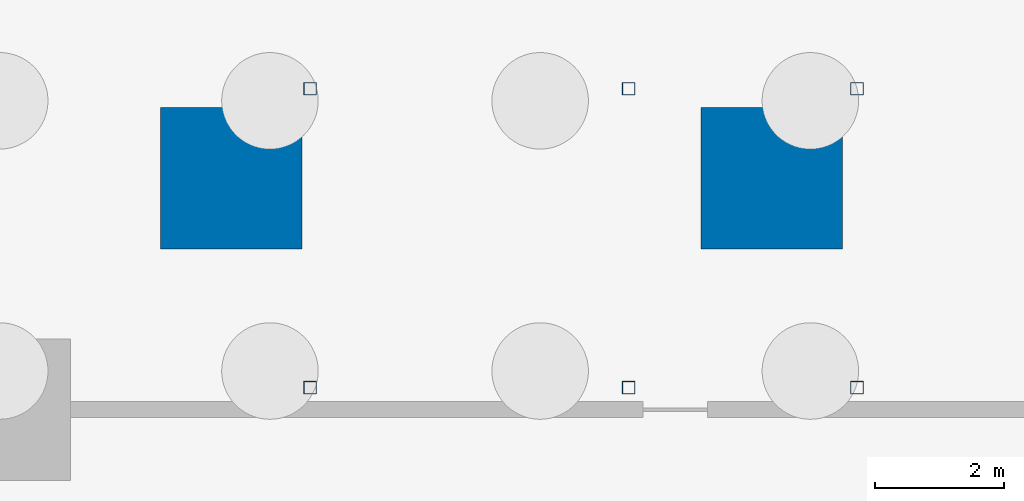
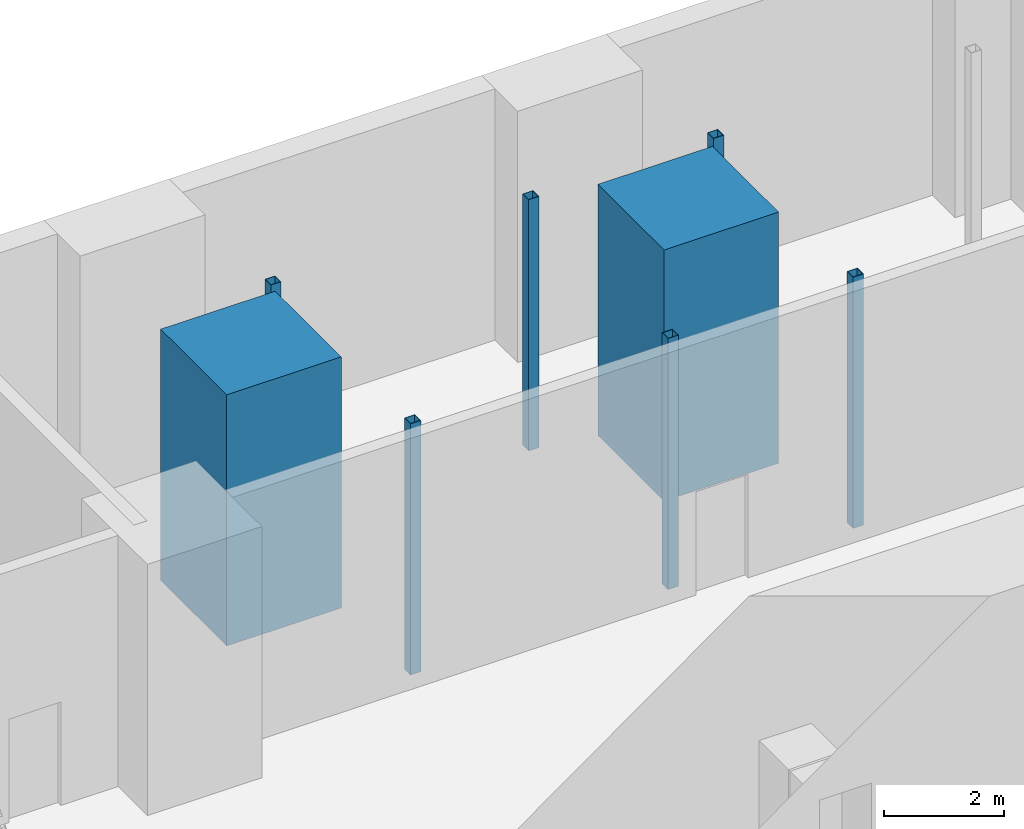
# One storey, part 8 of 18: 8 columns.
"""IFC4 building model written with IfcOpenShell, lengths in metres."""

from ifc_helpers import new_model, si_unit, direction, frame, origin, origin_2d, place, context, subcontext, project, spatial, rectangle, hollow_rectangle, extrude, material, material_profile, profile_set, type_object, element, save


model = new_model("IFC4")

# Units and contexts
model_context = context("Model", 3, precision=1e-05, world=origin(), true_north=direction((0.0, 1.0)))
body_context = subcontext(model_context, "Body", "Model", "MODEL_VIEW")
ifc_project = project(units=[si_unit("LENGTHUNIT", "METRE"), si_unit("AREAUNIT", "SQUARE_METRE"), si_unit("VOLUMEUNIT", "CUBIC_METRE"), si_unit("PLANEANGLEUNIT", "RADIAN"), si_unit("MASSUNIT", "GRAM", prefix="KILO")], contexts=[model_context])

# Site, building, storey
site_placement = place(None, origin())
site = spatial("IfcSite", under=ifc_project, at=site_placement, CompositionType="ELEMENT")
building_placement = place(site_placement, origin())
building = spatial("IfcBuilding", under=site, at=building_placement, Name="Dunama Terrace Hotel", CompositionType="ELEMENT")
storey_placement = place(building_placement, frame((0.0, 0.0, -5.39990234375)))
storey = spatial("IfcBuildingStorey", under=building, at=storey_placement, Name="B1", CompositionType="ELEMENT", Elevation=-5.39990234375)

# Columns
ifc_material_1 = material(Name="Concrete C60/75", Category="concrete")
ifc_material_profile_1 = material_profile(ifc_material_1, rectangle(XDim=2.199951171875, YDim=2.199951171875, at=origin_2d()), Name="RC 2200x2200")
ifc_profile_set_1 = profile_set([ifc_material_profile_1], Name="Concrete C60/75")
column_type_1 = type_object("IfcColumnType", Name="Column RC 2200x2200", PredefinedType="COLUMN", material=ifc_profile_set_1)
for number, where, z_axis, x_axis, name in (
    (1, (16.800048828125, 54.0, 0.0), (0.0, 0.0, 1.0), (1.0, 0.0, 0.0), "Column B1 +16.8/+54.0"),
    (2, (25.199951171875, 54.0, 0.0), (0.0, 0.0, 1.0), (1.0, 0.0, 0.0), "Column B1 +25.2/+54.0"),
):
    element("IfcColumn", number, at=place(storey_placement, frame(where, z_axis=z_axis, x_axis=x_axis)), inside=storey, type_object=column_type_1, Name=name, PredefinedType="COLUMN", context=body_context, shape_type="SweptSolid", body=[
        extrude(rectangle(XDim=2.199951171875, YDim=2.199951171875, at=origin_2d()), origin(), (0.0, 0.0, 1.0), 5.099853515625),
    ])
ifc_material_2 = material(Name="Steel S355", Category="steel")
ifc_material_profile_2 = material_profile(ifc_material_2, hollow_rectangle(XDim=0.199951171875, YDim=0.199951171875, WallThickness=0.010009765625, at=origin_2d()), Name="SHS 200x200x10")
ifc_profile_set_2 = profile_set([ifc_material_profile_2], Name="Steel S355")
column_type_2 = type_object("IfcColumnType", Name="Stair post SHS 200x200x10", PredefinedType="COLUMN", material=ifc_profile_set_2)
for number, where, z_axis, x_axis, name in (
    (3, (18.02490234375, 50.742431640625, 0.0), (0.0, 0.0, 1.0), (1.0, 0.0, 0.0), "Stair post P5 B1 +18.02/+50.74"),
    (4, (22.97509765625, 50.742431640625, 0.0), (0.0, 0.0, 1.0), (1.0, 0.0, 0.0), "Stair post P5 B1 +22.98/+50.74"),
    (5, (18.02490234375, 55.387451171875, 0.0), (0.0, 0.0, 1.0), (1.0, 0.0, 0.0), "Stair post P5 B1 +18.02/+55.39"),
    (6, (22.97509765625, 55.387451171875, 0.0), (0.0, 0.0, 1.0), (1.0, 0.0, 0.0), "Stair post P5 B1 +22.98/+55.39"),
    (7, (26.52490234375, 50.742431640625, 0.0), (0.0, 0.0, 1.0), (1.0, 0.0, 0.0), "Stair post P6 B1 +26.52/+50.74"),
    (8, (26.52490234375, 55.387451171875, 0.0), (0.0, 0.0, 1.0), (1.0, 0.0, 0.0), "Stair post P6 B1 +26.52/+55.39"),
):
    element("IfcColumn", number, at=place(storey_placement, frame(where, z_axis=z_axis, x_axis=x_axis)), inside=storey, type_object=column_type_2, Name=name, PredefinedType="COLUMN", context=body_context, shape_type="SweptSolid", body=[
        extrude(hollow_rectangle(XDim=0.199951171875, YDim=0.199951171875, WallThickness=0.010009765625, at=origin_2d()), origin(), (0.0, 0.0, 1.0), 5.099853515625),
    ])

save(model, "model.ifc")
